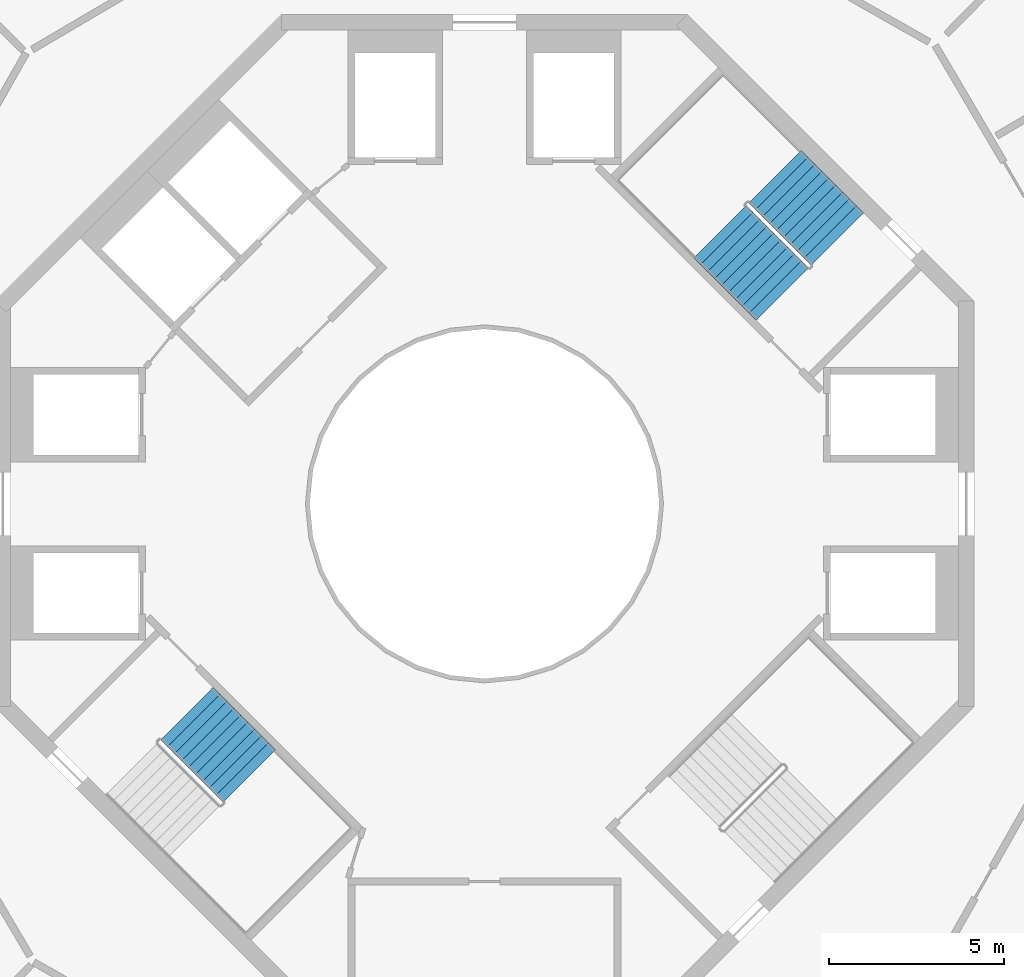
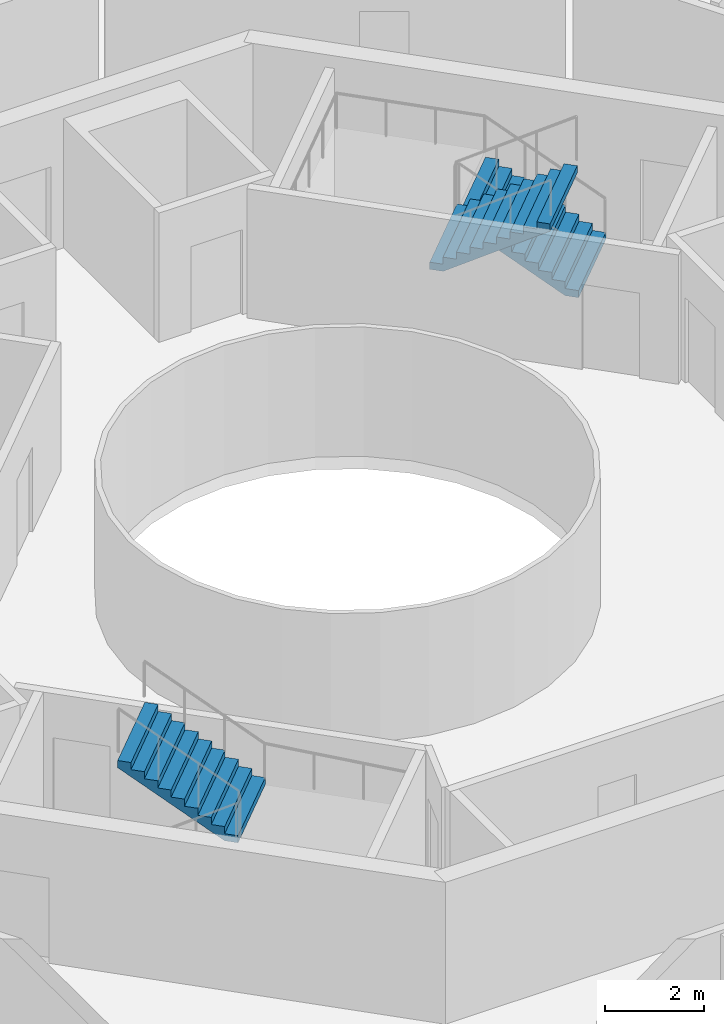
# One storey, part 25 of 26: 3 stair flights, 2 elements without a shape of their own.
"""IFC4 building model written with IfcOpenShell, lengths in metres."""

from ifc_helpers import new_model, si_unit, direction, frame, origin, place, context, subcontext, project, spatial, triangles, material, type_object, element, aggregate, save


model = new_model("IFC4")

# Units and contexts
model_context = context("Model", 3, precision=1e-05, world=origin(), true_north=direction((0.0, 1.0)))
body_context = subcontext(model_context, "Body", "Model", "MODEL_VIEW")
ifc_project = project(units=[si_unit("LENGTHUNIT", "METRE"), si_unit("AREAUNIT", "SQUARE_METRE"), si_unit("VOLUMEUNIT", "CUBIC_METRE"), si_unit("PLANEANGLEUNIT", "RADIAN"), si_unit("MASSUNIT", "GRAM", prefix="KILO")], contexts=[model_context])

# Site, building, storey
site_placement = place(None, origin())
site = spatial("IfcSite", under=ifc_project, at=site_placement, CompositionType="ELEMENT")
building_placement = place(site_placement, origin())
building = spatial("IfcBuilding", under=site, at=building_placement, Name="Verdalira Terraces Hotel", CompositionType="ELEMENT")
storey_placement = place(building_placement, frame((0.0, 0.0, 281.0)))
storey = spatial("IfcBuildingStorey", under=building, at=storey_placement, Name="L69", CompositionType="ELEMENT", Elevation=281.0)

# Stair, stair flights
ifc_material_1 = material(Name="Concrete C40", Category="concrete")
stair_type = type_object("IfcStairType", Name="Core stair 20 risers 2125 mm wide", PredefinedType="HALF_TURN_STAIR", material=ifc_material_1)
stair_1_placement = place(storey_placement, origin())
stair_1 = element("IfcStair", 1, at=stair_1_placement, inside=storey, type_object=stair_type, Name="L69 Exit stair ST1", PredefinedType="HALF_TURN_STAIR")
ifc_material_2 = material(Name="Concrete C40", Category="concrete")
stair_flight_type = type_object("IfcStairFlightType", Name="Core stair flight 20 risers 2125 mm wide", PredefinedType="STRAIGHT", material=ifc_material_2)
stair_flight_1_placement = place(storey_placement, frame((10.085205, 7.574951, 0.0), z_axis=(0.0, 0.0, 1.0), x_axis=(-0.707106781, 0.707106781, 0.0)))
stair_flight_1 = element("IfcStairFlight", 2, at=stair_flight_1_placement, type_object=stair_flight_type, Name="ST1 flight 1", NumberOfRisers=10, NumberOfTreads=9, PredefinedType="STRAIGHT", RiserHeight=0.175, TreadLength=0.28, context=body_context, shape_type="Tessellation", body=[
    triangles([(0.0, 1.0625, 0.0), (0.282715, 1.0625, 0.0), (2.52002, 1.0625, 1.398193), (0.0, -1.0625, 0.0), (0.282715, -1.0625, 0.0), (2.52002, -1.0625, 1.398193), (2.52002, 1.0625, 1.574951), (2.23999, 1.0625, 1.574951), (2.52002, -1.0625, 1.574951), (2.23999, -1.0625, 1.574951), (2.23999, 1.0625, 1.399902), (2.23999, -1.0625, 1.399902), (1.959961, 1.0625, 1.399902), (1.959961, -1.0625, 1.399902), (1.959961, 1.0625, 1.225098), (1.959961, -1.0625, 1.225098), (1.679932, 1.0625, 1.225098), (1.679932, 1.0625, 1.050049), (1.679932, -1.0625, 1.225098), (1.679932, -1.0625, 1.050049), (1.399902, 1.0625, 1.050049), (1.399902, 1.0625, 0.875), (1.399902, -1.0625, 1.050049), (1.399902, -1.0625, 0.875), (1.120117, 1.0625, 0.875), (1.120117, 1.0625, 0.699951), (1.120117, -1.0625, 0.875), (1.120117, -1.0625, 0.699951), (0.840088, 1.0625, 0.699951), (0.840088, 1.0625, 0.524902), (0.840088, -1.0625, 0.699951), (0.840088, -1.0625, 0.524902), (0.560059, 1.0625, 0.524902), (0.560059, 1.0625, 0.350098), (0.560059, -1.0625, 0.524902), (0.560059, -1.0625, 0.350098), (0.280029, 1.0625, 0.350098), (0.280029, 1.0625, 0.175049), (0.280029, -1.0625, 0.350098), (0.280029, -1.0625, 0.175049), (0.0, 1.0625, 0.175049), (0.0, -1.0625, 0.175049), (0.0, -0.996094, 0.0), (0.0, -0.996094, 0.175049), (0.0, -0.929688, 0.0), (0.0, -0.929688, 0.175049), (0.0, -0.863281, 0.0), (0.0, -0.863281, 0.175049), (0.0, -0.796875, 0.0), (0.0, -0.796875, 0.175049), (0.0, -0.730469, 0.0), (0.0, -0.730469, 0.175049), (0.0, -0.664062, 0.0), (0.0, -0.664062, 0.175049), (0.0, -0.597656, 0.0), (0.0, -0.597656, 0.175049), (0.0, -0.53125, 0.0), (0.0, -0.53125, 0.175049), (0.0, -0.464844, 0.0), (0.0, -0.464844, 0.175049), (0.0, -0.398438, 0.0), (0.0, -0.398438, 0.175049), (0.0, -0.332031, 0.0), (0.0, -0.332031, 0.175049), (0.0, -0.265625, 0.0), (0.0, -0.265625, 0.175049), (0.0, -0.199219, 0.0), (0.0, -0.199219, 0.175049), (0.0, -0.132812, 0.0), (0.0, -0.132812, 0.175049), (0.0, -0.066406, 0.0), (0.0, -0.066406, 0.175049), (0.0, 0.0, 0.0), (0.0, 0.0, 0.175049), (0.0, 0.066406, 0.0), (0.0, 0.066406, 0.175049), (0.0, 0.132812, 0.0), (0.0, 0.132812, 0.175049), (0.0, 0.199219, 0.0), (0.0, 0.199219, 0.175049), (0.0, 0.265625, 0.0), (0.0, 0.265625, 0.175049), (0.0, 0.332031, 0.0), (0.0, 0.332031, 0.175049), (0.0, 0.398438, 0.0), (0.0, 0.398438, 0.175049), (0.0, 0.464844, 0.0), (0.0, 0.464844, 0.175049), (0.0, 0.53125, 0.0), (0.0, 0.53125, 0.175049), (0.0, 0.597656, 0.0), (0.0, 0.597656, 0.175049), (0.0, 0.664062, 0.0), (0.0, 0.664062, 0.175049), (0.0, 0.730469, 0.0), (0.0, 0.730469, 0.175049), (0.0, 0.796875, 0.0), (0.0, 0.796875, 0.175049), (0.0, 0.863281, 0.0), (0.0, 0.863281, 0.175049), (0.0, 0.929688, 0.0), (0.0, 0.929688, 0.175049), (0.0, 0.996094, 0.0), (0.0, 0.996094, 0.175049), (2.52002, -0.996094, 1.574951), (2.52002, -0.929688, 1.574951), (2.52002, -0.863281, 1.574951), (2.52002, -0.796875, 1.574951), (2.52002, -0.730469, 1.574951), (2.52002, -0.664062, 1.574951), (2.52002, -0.597656, 1.574951), (2.52002, -0.53125, 1.574951), (2.52002, -0.464844, 1.574951), (2.52002, -0.398438, 1.574951), (2.52002, -0.332031, 1.574951), (2.52002, -0.265625, 1.574951), (2.52002, -0.199219, 1.574951), (2.52002, -0.132812, 1.574951), (2.52002, -0.066406, 1.574951), (2.52002, 0.0, 1.574951), (2.52002, 0.066406, 1.574951), (2.52002, 0.132812, 1.574951), (2.52002, 0.199219, 1.574951), (2.52002, 0.265625, 1.574951), (2.52002, 0.332031, 1.574951), (2.52002, 0.398438, 1.574951), (2.52002, 0.464844, 1.574951), (2.52002, 0.53125, 1.574951), (2.52002, 0.597656, 1.574951), (2.52002, 0.664062, 1.574951), (2.52002, 0.730469, 1.574951), (2.52002, 0.796875, 1.574951), (2.52002, 0.863281, 1.574951), (2.52002, 0.929688, 1.574951), (2.52002, 0.996094, 1.574951), (2.52002, -0.996094, 1.398193), (2.52002, -0.929688, 1.398193), (2.52002, -0.863281, 1.398193), (2.52002, -0.796875, 1.398193), (2.52002, -0.730469, 1.398193), (2.52002, -0.664062, 1.398193), (2.52002, -0.597656, 1.398193), (2.52002, -0.53125, 1.398193), (2.52002, -0.464844, 1.398193), (2.52002, -0.398438, 1.398193), (2.52002, -0.332031, 1.398193), (2.52002, -0.265625, 1.398193), (2.52002, -0.199219, 1.398193), (2.52002, -0.132812, 1.398193), (2.52002, -0.066406, 1.398193), (2.52002, 0.0, 1.398193), (2.52002, 0.066406, 1.398193), (2.52002, 0.132812, 1.398193), (2.52002, 0.199219, 1.398193), (2.52002, 0.265625, 1.398193), (2.52002, 0.332031, 1.398193), (2.52002, 0.398438, 1.398193), (2.52002, 0.464844, 1.398193), (2.52002, 0.53125, 1.398193), (2.52002, 0.597656, 1.398193), (2.52002, 0.664062, 1.398193), (2.52002, 0.730469, 1.398193), (2.52002, 0.796875, 1.398193), (2.52002, 0.863281, 1.398193), (2.52002, 0.929688, 1.398193), (2.52002, 0.996094, 1.398193)], [[1, 3, 2], [4, 5, 6], [3, 8, 7], [6, 9, 10], [3, 11, 8], [6, 10, 12], [3, 13, 11], [6, 12, 14], [3, 15, 13], [6, 14, 16], [15, 18, 17], [16, 19, 20], [3, 18, 15], [6, 16, 20], [18, 22, 21], [20, 23, 24], [3, 22, 18], [6, 20, 24], [22, 26, 25], [24, 27, 28], [3, 26, 22], [6, 24, 28], [26, 30, 29], [28, 31, 32], [3, 30, 26], [6, 28, 32], [1, 30, 3], [4, 6, 32], [30, 34, 33], [32, 35, 36], [34, 38, 37], [36, 39, 40], [30, 38, 34], [32, 36, 40], [1, 38, 30], [4, 32, 40], [38, 1, 41], [40, 42, 4], [4, 44, 43], [4, 42, 44], [43, 46, 45], [43, 44, 46], [45, 48, 47], [45, 46, 48], [47, 50, 49], [47, 48, 50], [49, 52, 51], [49, 50, 52], [51, 54, 53], [51, 52, 54], [53, 56, 55], [53, 54, 56], [55, 58, 57], [55, 56, 58], [57, 60, 59], [57, 58, 60], [59, 62, 61], [59, 60, 62], [61, 64, 63], [61, 62, 64], [63, 66, 65], [63, 64, 66], [65, 68, 67], [65, 66, 68], [67, 70, 69], [67, 68, 70], [69, 72, 71], [69, 70, 72], [71, 74, 73], [71, 72, 74], [73, 76, 75], [73, 74, 76], [75, 78, 77], [75, 76, 78], [77, 80, 79], [77, 78, 80], [79, 82, 81], [79, 80, 82], [81, 84, 83], [81, 82, 84], [83, 86, 85], [83, 84, 86], [85, 88, 87], [85, 86, 88], [87, 90, 89], [87, 88, 90], [89, 92, 91], [89, 90, 92], [91, 94, 93], [91, 92, 94], [93, 96, 95], [93, 94, 96], [95, 98, 97], [95, 96, 98], [97, 100, 99], [97, 98, 100], [99, 102, 101], [99, 100, 102], [101, 104, 103], [101, 102, 104], [103, 41, 1], [103, 104, 41], [42, 40, 44], [44, 40, 46], [46, 40, 48], [48, 40, 50], [50, 40, 52], [52, 40, 54], [54, 40, 56], [56, 40, 58], [58, 40, 60], [60, 40, 62], [62, 40, 64], [64, 40, 66], [66, 40, 68], [68, 40, 70], [70, 40, 72], [72, 40, 74], [74, 40, 76], [76, 40, 78], [78, 40, 80], [80, 40, 82], [82, 40, 84], [84, 40, 86], [86, 40, 88], [88, 40, 90], [90, 40, 92], [92, 40, 94], [94, 40, 96], [96, 40, 98], [98, 40, 100], [100, 40, 102], [102, 40, 104], [104, 40, 41], [41, 40, 38], [40, 37, 38], [40, 39, 37], [39, 34, 37], [39, 36, 34], [36, 33, 34], [36, 35, 33], [35, 30, 33], [35, 32, 30], [32, 29, 30], [32, 31, 29], [31, 26, 29], [31, 28, 26], [28, 25, 26], [28, 27, 25], [27, 22, 25], [27, 24, 22], [24, 21, 22], [24, 23, 21], [23, 18, 21], [23, 20, 18], [20, 17, 18], [20, 19, 17], [19, 15, 17], [19, 16, 15], [16, 13, 15], [16, 14, 13], [14, 11, 13], [14, 12, 11], [12, 8, 11], [12, 10, 8], [9, 105, 10], [105, 106, 10], [106, 107, 10], [107, 108, 10], [108, 109, 10], [109, 110, 10], [110, 111, 10], [111, 112, 10], [112, 113, 10], [113, 114, 10], [114, 115, 10], [115, 116, 10], [116, 117, 10], [117, 118, 10], [118, 119, 10], [119, 120, 10], [120, 121, 10], [121, 122, 10], [122, 123, 10], [123, 124, 10], [124, 125, 10], [125, 126, 10], [126, 127, 10], [127, 128, 10], [128, 129, 10], [129, 130, 10], [130, 131, 10], [131, 132, 10], [132, 133, 10], [133, 134, 10], [134, 135, 10], [135, 7, 10], [7, 8, 10], [9, 136, 105], [9, 6, 136], [105, 137, 106], [105, 136, 137], [106, 138, 107], [106, 137, 138], [107, 139, 108], [107, 138, 139], [108, 140, 109], [108, 139, 140], [109, 141, 110], [109, 140, 141], [110, 142, 111], [110, 141, 142], [111, 143, 112], [111, 142, 143], [112, 144, 113], [112, 143, 144], [113, 145, 114], [113, 144, 145], [114, 146, 115], [114, 145, 146], [115, 147, 116], [115, 146, 147], [116, 148, 117], [116, 147, 148], [117, 149, 118], [117, 148, 149], [118, 150, 119], [118, 149, 150], [119, 151, 120], [119, 150, 151], [120, 152, 121], [120, 151, 152], [121, 153, 122], [121, 152, 153], [122, 154, 123], [122, 153, 154], [123, 155, 124], [123, 154, 155], [124, 156, 125], [124, 155, 156], [125, 157, 126], [125, 156, 157], [126, 158, 127], [126, 157, 158], [127, 159, 128], [127, 158, 159], [128, 160, 129], [128, 159, 160], [129, 161, 130], [129, 160, 161], [130, 162, 131], [130, 161, 162], [131, 163, 132], [131, 162, 163], [132, 164, 133], [132, 163, 164], [133, 165, 134], [133, 164, 165], [134, 166, 135], [134, 165, 166], [135, 3, 7], [135, 166, 3], [6, 5, 136], [136, 5, 137], [137, 5, 138], [138, 5, 139], [139, 5, 140], [140, 5, 141], [141, 5, 142], [142, 5, 143], [143, 5, 144], [144, 5, 145], [145, 5, 146], [146, 5, 147], [147, 5, 148], [148, 5, 149], [149, 5, 150], [150, 5, 151], [151, 5, 152], [152, 5, 153], [153, 5, 154], [154, 5, 155], [155, 5, 156], [156, 5, 157], [157, 5, 158], [158, 5, 159], [159, 5, 160], [160, 5, 161], [161, 5, 162], [162, 5, 163], [163, 5, 164], [164, 5, 165], [165, 5, 166], [166, 5, 3], [3, 5, 2], [4, 43, 5], [43, 45, 5], [45, 47, 5], [47, 49, 5], [49, 51, 5], [51, 53, 5], [53, 55, 5], [55, 57, 5], [57, 59, 5], [59, 61, 5], [61, 63, 5], [63, 65, 5], [65, 67, 5], [67, 69, 5], [69, 71, 5], [71, 73, 5], [73, 75, 5], [75, 77, 5], [77, 79, 5], [79, 81, 5], [81, 83, 5], [83, 85, 5], [85, 87, 5], [87, 89, 5], [89, 91, 5], [91, 93, 5], [93, 95, 5], [95, 97, 5], [97, 99, 5], [99, 101, 5], [101, 103, 5], [103, 1, 5], [1, 2, 5]], closed=True),
])
stair_flight_2_placement = place(storey_placement, frame((6.72998, 7.783447, 1.75), z_axis=(0.0, 0.0, 1.0), x_axis=(0.707106781, -0.707106781, 0.0)))
stair_flight_2 = element("IfcStairFlight", 3, at=stair_flight_2_placement, type_object=stair_flight_type, Name="ST1 flight 2", NumberOfRisers=10, NumberOfTreads=9, PredefinedType="STRAIGHT", RiserHeight=0.175, TreadLength=0.28, context=body_context, shape_type="Tessellation", body=[
    triangles([(0.0, 1.0625, 0.0), (0.282715, 1.0625, 0.0), (2.52002, 1.0625, 1.398193), (0.0, -1.0625, 0.0), (0.282715, -1.0625, 0.0), (2.52002, -1.0625, 1.398193), (2.52002, 1.0625, 1.574951), (2.23999, 1.0625, 1.574951), (2.52002, -1.0625, 1.574951), (2.23999, -1.0625, 1.574951), (2.23999, 1.0625, 1.399902), (2.23999, -1.0625, 1.399902), (1.959961, 1.0625, 1.399902), (1.959961, -1.0625, 1.399902), (1.959961, 1.0625, 1.225098), (1.959961, -1.0625, 1.225098), (1.679932, 1.0625, 1.225098), (1.679932, 1.0625, 1.050049), (1.679932, -1.0625, 1.225098), (1.679932, -1.0625, 1.050049), (1.399902, 1.0625, 1.050049), (1.399902, 1.0625, 0.875), (1.399902, -1.0625, 1.050049), (1.399902, -1.0625, 0.875), (1.120117, 1.0625, 0.875), (1.120117, 1.0625, 0.699951), (1.120117, -1.0625, 0.875), (1.120117, -1.0625, 0.699951), (0.840088, 1.0625, 0.699951), (0.840088, 1.0625, 0.524902), (0.840088, -1.0625, 0.699951), (0.840088, -1.0625, 0.524902), (0.560059, 1.0625, 0.524902), (0.560059, 1.0625, 0.350098), (0.560059, -1.0625, 0.524902), (0.560059, -1.0625, 0.350098), (0.280029, 1.0625, 0.350098), (0.280029, 1.0625, 0.175049), (0.280029, -1.0625, 0.350098), (0.280029, -1.0625, 0.175049), (0.0, 1.0625, 0.175049), (0.0, -1.0625, 0.175049), (0.0, -0.996094, 0.0), (0.0, -0.996094, 0.175049), (0.0, -0.929688, 0.0), (0.0, -0.929688, 0.175049), (0.0, -0.863281, 0.0), (0.0, -0.863281, 0.175049), (0.0, -0.796875, 0.0), (0.0, -0.796875, 0.175049), (0.0, -0.730469, 0.0), (0.0, -0.730469, 0.175049), (0.0, -0.664062, 0.0), (0.0, -0.664062, 0.175049), (0.0, -0.597656, 0.0), (0.0, -0.597656, 0.175049), (0.0, -0.53125, 0.0), (0.0, -0.53125, 0.175049), (0.0, -0.464844, 0.0), (0.0, -0.464844, 0.175049), (0.0, -0.398438, 0.0), (0.0, -0.398438, 0.175049), (0.0, -0.332031, 0.0), (0.0, -0.332031, 0.175049), (0.0, -0.265625, 0.0), (0.0, -0.265625, 0.175049), (0.0, -0.199219, 0.0), (0.0, -0.199219, 0.175049), (0.0, -0.132812, 0.0), (0.0, -0.132812, 0.175049), (0.0, -0.066406, 0.0), (0.0, -0.066406, 0.175049), (0.0, 0.0, 0.0), (0.0, 0.0, 0.175049), (0.0, 0.066406, 0.0), (0.0, 0.066406, 0.175049), (0.0, 0.132812, 0.0), (0.0, 0.132812, 0.175049), (0.0, 0.199219, 0.0), (0.0, 0.199219, 0.175049), (0.0, 0.265625, 0.0), (0.0, 0.265625, 0.175049), (0.0, 0.332031, 0.0), (0.0, 0.332031, 0.175049), (0.0, 0.398438, 0.0), (0.0, 0.398438, 0.175049), (0.0, 0.464844, 0.0), (0.0, 0.464844, 0.175049), (0.0, 0.53125, 0.0), (0.0, 0.53125, 0.175049), (0.0, 0.597656, 0.0), (0.0, 0.597656, 0.175049), (0.0, 0.664062, 0.0), (0.0, 0.664062, 0.175049), (0.0, 0.730469, 0.0), (0.0, 0.730469, 0.175049), (0.0, 0.796875, 0.0), (0.0, 0.796875, 0.175049), (0.0, 0.863281, 0.0), (0.0, 0.863281, 0.175049), (0.0, 0.929688, 0.0), (0.0, 0.929688, 0.175049), (0.0, 0.996094, 0.0), (0.0, 0.996094, 0.175049), (2.52002, -0.996094, 1.574951), (2.52002, -0.929688, 1.574951), (2.52002, -0.863281, 1.574951), (2.52002, -0.796875, 1.574951), (2.52002, -0.730469, 1.574951), (2.52002, -0.664062, 1.574951), (2.52002, -0.597656, 1.574951), (2.52002, -0.53125, 1.574951), (2.52002, -0.464844, 1.574951), (2.52002, -0.398438, 1.574951), (2.52002, -0.332031, 1.574951), (2.52002, -0.265625, 1.574951), (2.52002, -0.199219, 1.574951), (2.52002, -0.132812, 1.574951), (2.52002, -0.066406, 1.574951), (2.52002, 0.0, 1.574951), (2.52002, 0.066406, 1.574951), (2.52002, 0.132812, 1.574951), (2.52002, 0.199219, 1.574951), (2.52002, 0.265625, 1.574951), (2.52002, 0.332031, 1.574951), (2.52002, 0.398438, 1.574951), (2.52002, 0.464844, 1.574951), (2.52002, 0.53125, 1.574951), (2.52002, 0.597656, 1.574951), (2.52002, 0.664062, 1.574951), (2.52002, 0.730469, 1.574951), (2.52002, 0.796875, 1.574951), (2.52002, 0.863281, 1.574951), (2.52002, 0.929688, 1.574951), (2.52002, 0.996094, 1.574951), (2.52002, -0.996094, 1.398193), (2.52002, -0.929688, 1.398193), (2.52002, -0.863281, 1.398193), (2.52002, -0.796875, 1.398193), (2.52002, -0.730469, 1.398193), (2.52002, -0.664062, 1.398193), (2.52002, -0.597656, 1.398193), (2.52002, -0.53125, 1.398193), (2.52002, -0.464844, 1.398193), (2.52002, -0.398438, 1.398193), (2.52002, -0.332031, 1.398193), (2.52002, -0.265625, 1.398193), (2.52002, -0.199219, 1.398193), (2.52002, -0.132812, 1.398193), (2.52002, -0.066406, 1.398193), (2.52002, 0.0, 1.398193), (2.52002, 0.066406, 1.398193), (2.52002, 0.132812, 1.398193), (2.52002, 0.199219, 1.398193), (2.52002, 0.265625, 1.398193), (2.52002, 0.332031, 1.398193), (2.52002, 0.398438, 1.398193), (2.52002, 0.464844, 1.398193), (2.52002, 0.53125, 1.398193), (2.52002, 0.597656, 1.398193), (2.52002, 0.664062, 1.398193), (2.52002, 0.730469, 1.398193), (2.52002, 0.796875, 1.398193), (2.52002, 0.863281, 1.398193), (2.52002, 0.929688, 1.398193), (2.52002, 0.996094, 1.398193)], [[1, 3, 2], [4, 5, 6], [3, 8, 7], [6, 9, 10], [3, 11, 8], [6, 10, 12], [3, 13, 11], [6, 12, 14], [3, 15, 13], [6, 14, 16], [15, 18, 17], [16, 19, 20], [3, 18, 15], [6, 16, 20], [18, 22, 21], [20, 23, 24], [3, 22, 18], [6, 20, 24], [22, 26, 25], [24, 27, 28], [3, 26, 22], [6, 24, 28], [26, 30, 29], [28, 31, 32], [3, 30, 26], [6, 28, 32], [1, 30, 3], [4, 6, 32], [30, 34, 33], [32, 35, 36], [34, 38, 37], [36, 39, 40], [30, 38, 34], [32, 36, 40], [1, 38, 30], [4, 32, 40], [38, 1, 41], [40, 42, 4], [4, 44, 43], [4, 42, 44], [43, 46, 45], [43, 44, 46], [45, 48, 47], [45, 46, 48], [47, 50, 49], [47, 48, 50], [49, 52, 51], [49, 50, 52], [51, 54, 53], [51, 52, 54], [53, 56, 55], [53, 54, 56], [55, 58, 57], [55, 56, 58], [57, 60, 59], [57, 58, 60], [59, 62, 61], [59, 60, 62], [61, 64, 63], [61, 62, 64], [63, 66, 65], [63, 64, 66], [65, 68, 67], [65, 66, 68], [67, 70, 69], [67, 68, 70], [69, 72, 71], [69, 70, 72], [71, 74, 73], [71, 72, 74], [73, 76, 75], [73, 74, 76], [75, 78, 77], [75, 76, 78], [77, 80, 79], [77, 78, 80], [79, 82, 81], [79, 80, 82], [81, 84, 83], [81, 82, 84], [83, 86, 85], [83, 84, 86], [85, 88, 87], [85, 86, 88], [87, 90, 89], [87, 88, 90], [89, 92, 91], [89, 90, 92], [91, 94, 93], [91, 92, 94], [93, 96, 95], [93, 94, 96], [95, 98, 97], [95, 96, 98], [97, 100, 99], [97, 98, 100], [99, 102, 101], [99, 100, 102], [101, 104, 103], [101, 102, 104], [103, 41, 1], [103, 104, 41], [42, 40, 44], [44, 40, 46], [46, 40, 48], [48, 40, 50], [50, 40, 52], [52, 40, 54], [54, 40, 56], [56, 40, 58], [58, 40, 60], [60, 40, 62], [62, 40, 64], [64, 40, 66], [66, 40, 68], [68, 40, 70], [70, 40, 72], [72, 40, 74], [74, 40, 76], [76, 40, 78], [78, 40, 80], [80, 40, 82], [82, 40, 84], [84, 40, 86], [86, 40, 88], [88, 40, 90], [90, 40, 92], [92, 40, 94], [94, 40, 96], [96, 40, 98], [98, 40, 100], [100, 40, 102], [102, 40, 104], [104, 40, 41], [41, 40, 38], [40, 37, 38], [40, 39, 37], [39, 34, 37], [39, 36, 34], [36, 33, 34], [36, 35, 33], [35, 30, 33], [35, 32, 30], [32, 29, 30], [32, 31, 29], [31, 26, 29], [31, 28, 26], [28, 25, 26], [28, 27, 25], [27, 22, 25], [27, 24, 22], [24, 21, 22], [24, 23, 21], [23, 18, 21], [23, 20, 18], [20, 17, 18], [20, 19, 17], [19, 15, 17], [19, 16, 15], [16, 13, 15], [16, 14, 13], [14, 11, 13], [14, 12, 11], [12, 8, 11], [12, 10, 8], [9, 105, 10], [105, 106, 10], [106, 107, 10], [107, 108, 10], [108, 109, 10], [109, 110, 10], [110, 111, 10], [111, 112, 10], [112, 113, 10], [113, 114, 10], [114, 115, 10], [115, 116, 10], [116, 117, 10], [117, 118, 10], [118, 119, 10], [119, 120, 10], [120, 121, 10], [121, 122, 10], [122, 123, 10], [123, 124, 10], [124, 125, 10], [125, 126, 10], [126, 127, 10], [127, 128, 10], [128, 129, 10], [129, 130, 10], [130, 131, 10], [131, 132, 10], [132, 133, 10], [133, 134, 10], [134, 135, 10], [135, 7, 10], [7, 8, 10], [9, 136, 105], [9, 6, 136], [105, 137, 106], [105, 136, 137], [106, 138, 107], [106, 137, 138], [107, 139, 108], [107, 138, 139], [108, 140, 109], [108, 139, 140], [109, 141, 110], [109, 140, 141], [110, 142, 111], [110, 141, 142], [111, 143, 112], [111, 142, 143], [112, 144, 113], [112, 143, 144], [113, 145, 114], [113, 144, 145], [114, 146, 115], [114, 145, 146], [115, 147, 116], [115, 146, 147], [116, 148, 117], [116, 147, 148], [117, 149, 118], [117, 148, 149], [118, 150, 119], [118, 149, 150], [119, 151, 120], [119, 150, 151], [120, 152, 121], [120, 151, 152], [121, 153, 122], [121, 152, 153], [122, 154, 123], [122, 153, 154], [123, 155, 124], [123, 154, 155], [124, 156, 125], [124, 155, 156], [125, 157, 126], [125, 156, 157], [126, 158, 127], [126, 157, 158], [127, 159, 128], [127, 158, 159], [128, 160, 129], [128, 159, 160], [129, 161, 130], [129, 160, 161], [130, 162, 131], [130, 161, 162], [131, 163, 132], [131, 162, 163], [132, 164, 133], [132, 163, 164], [133, 165, 134], [133, 164, 165], [134, 166, 135], [134, 165, 166], [135, 3, 7], [135, 166, 3], [6, 5, 136], [136, 5, 137], [137, 5, 138], [138, 5, 139], [139, 5, 140], [140, 5, 141], [141, 5, 142], [142, 5, 143], [143, 5, 144], [144, 5, 145], [145, 5, 146], [146, 5, 147], [147, 5, 148], [148, 5, 149], [149, 5, 150], [150, 5, 151], [151, 5, 152], [152, 5, 153], [153, 5, 154], [154, 5, 155], [155, 5, 156], [156, 5, 157], [157, 5, 158], [158, 5, 159], [159, 5, 160], [160, 5, 161], [161, 5, 162], [162, 5, 163], [163, 5, 164], [164, 5, 165], [165, 5, 166], [166, 5, 3], [3, 5, 2], [4, 43, 5], [43, 45, 5], [45, 47, 5], [47, 49, 5], [49, 51, 5], [51, 53, 5], [53, 55, 5], [55, 57, 5], [57, 59, 5], [59, 61, 5], [61, 63, 5], [63, 65, 5], [65, 67, 5], [67, 69, 5], [69, 71, 5], [71, 73, 5], [73, 75, 5], [75, 77, 5], [77, 79, 5], [79, 81, 5], [81, 83, 5], [83, 85, 5], [85, 87, 5], [87, 89, 5], [89, 91, 5], [91, 93, 5], [93, 95, 5], [95, 97, 5], [97, 99, 5], [99, 101, 5], [101, 103, 5], [103, 1, 5], [1, 2, 5]], closed=True),
])
aggregate(stair_1, [stair_flight_1, stair_flight_2])

# Stair, stair flight
stair_2_placement = place(storey_placement, origin())
stair_2 = element("IfcStair", 4, at=stair_2_placement, inside=storey, type_object=stair_type, Name="L69 Exit stair ST2", PredefinedType="HALF_TURN_STAIR")
stair_flight_3_placement = place(storey_placement, frame((-6.72998, -7.783447, 1.75), z_axis=(0.0, 0.0, 1.0), x_axis=(-0.707106781, 0.707106781, 0.0)))
stair_flight_3 = element("IfcStairFlight", 5, at=stair_flight_3_placement, type_object=stair_flight_type, Name="ST2 flight 2", NumberOfRisers=10, NumberOfTreads=9, PredefinedType="STRAIGHT", RiserHeight=0.175, TreadLength=0.28, context=body_context, shape_type="Tessellation", body=[
    triangles([(0.0, 1.0625, 0.0), (0.282715, 1.0625, 0.0), (2.52002, 1.0625, 1.398193), (0.0, -1.0625, 0.0), (0.282715, -1.0625, 0.0), (2.52002, -1.0625, 1.398193), (2.52002, 1.0625, 1.574951), (2.23999, 1.0625, 1.574951), (2.52002, -1.0625, 1.574951), (2.23999, -1.0625, 1.574951), (2.23999, 1.0625, 1.399902), (2.23999, -1.0625, 1.399902), (1.959961, 1.0625, 1.399902), (1.959961, -1.0625, 1.399902), (1.959961, 1.0625, 1.225098), (1.959961, -1.0625, 1.225098), (1.679932, 1.0625, 1.225098), (1.679932, 1.0625, 1.050049), (1.679932, -1.0625, 1.225098), (1.679932, -1.0625, 1.050049), (1.399902, 1.0625, 1.050049), (1.399902, 1.0625, 0.875), (1.399902, -1.0625, 1.050049), (1.399902, -1.0625, 0.875), (1.120117, 1.0625, 0.875), (1.120117, 1.0625, 0.699951), (1.120117, -1.0625, 0.875), (1.120117, -1.0625, 0.699951), (0.840088, 1.0625, 0.699951), (0.840088, 1.0625, 0.524902), (0.840088, -1.0625, 0.699951), (0.840088, -1.0625, 0.524902), (0.560059, 1.0625, 0.524902), (0.560059, 1.0625, 0.350098), (0.560059, -1.0625, 0.524902), (0.560059, -1.0625, 0.350098), (0.280029, 1.0625, 0.350098), (0.280029, 1.0625, 0.175049), (0.280029, -1.0625, 0.350098), (0.280029, -1.0625, 0.175049), (0.0, 1.0625, 0.175049), (0.0, -1.0625, 0.175049), (0.0, -0.996094, 0.0), (0.0, -0.996094, 0.175049), (0.0, -0.929688, 0.0), (0.0, -0.929688, 0.175049), (0.0, -0.863281, 0.0), (0.0, -0.863281, 0.175049), (0.0, -0.796875, 0.0), (0.0, -0.796875, 0.175049), (0.0, -0.730469, 0.0), (0.0, -0.730469, 0.175049), (0.0, -0.664062, 0.0), (0.0, -0.664062, 0.175049), (0.0, -0.597656, 0.0), (0.0, -0.597656, 0.175049), (0.0, -0.53125, 0.0), (0.0, -0.53125, 0.175049), (0.0, -0.464844, 0.0), (0.0, -0.464844, 0.175049), (0.0, -0.398438, 0.0), (0.0, -0.398438, 0.175049), (0.0, -0.332031, 0.0), (0.0, -0.332031, 0.175049), (0.0, -0.265625, 0.0), (0.0, -0.265625, 0.175049), (0.0, -0.199219, 0.0), (0.0, -0.199219, 0.175049), (0.0, -0.132812, 0.0), (0.0, -0.132812, 0.175049), (0.0, -0.066406, 0.0), (0.0, -0.066406, 0.175049), (0.0, 0.0, 0.0), (0.0, 0.0, 0.175049), (0.0, 0.066406, 0.0), (0.0, 0.066406, 0.175049), (0.0, 0.132812, 0.0), (0.0, 0.132812, 0.175049), (0.0, 0.199219, 0.0), (0.0, 0.199219, 0.175049), (0.0, 0.265625, 0.0), (0.0, 0.265625, 0.175049), (0.0, 0.332031, 0.0), (0.0, 0.332031, 0.175049), (0.0, 0.398438, 0.0), (0.0, 0.398438, 0.175049), (0.0, 0.464844, 0.0), (0.0, 0.464844, 0.175049), (0.0, 0.53125, 0.0), (0.0, 0.53125, 0.175049), (0.0, 0.597656, 0.0), (0.0, 0.597656, 0.175049), (0.0, 0.664062, 0.0), (0.0, 0.664062, 0.175049), (0.0, 0.730469, 0.0), (0.0, 0.730469, 0.175049), (0.0, 0.796875, 0.0), (0.0, 0.796875, 0.175049), (0.0, 0.863281, 0.0), (0.0, 0.863281, 0.175049), (0.0, 0.929688, 0.0), (0.0, 0.929688, 0.175049), (0.0, 0.996094, 0.0), (0.0, 0.996094, 0.175049), (2.52002, -0.996094, 1.574951), (2.52002, -0.929688, 1.574951), (2.52002, -0.863281, 1.574951), (2.52002, -0.796875, 1.574951), (2.52002, -0.730469, 1.574951), (2.52002, -0.664062, 1.574951), (2.52002, -0.597656, 1.574951), (2.52002, -0.53125, 1.574951), (2.52002, -0.464844, 1.574951), (2.52002, -0.398438, 1.574951), (2.52002, -0.332031, 1.574951), (2.52002, -0.265625, 1.574951), (2.52002, -0.199219, 1.574951), (2.52002, -0.132812, 1.574951), (2.52002, -0.066406, 1.574951), (2.52002, 0.0, 1.574951), (2.52002, 0.066406, 1.574951), (2.52002, 0.132812, 1.574951), (2.52002, 0.199219, 1.574951), (2.52002, 0.265625, 1.574951), (2.52002, 0.332031, 1.574951), (2.52002, 0.398438, 1.574951), (2.52002, 0.464844, 1.574951), (2.52002, 0.53125, 1.574951), (2.52002, 0.597656, 1.574951), (2.52002, 0.664062, 1.574951), (2.52002, 0.730469, 1.574951), (2.52002, 0.796875, 1.574951), (2.52002, 0.863281, 1.574951), (2.52002, 0.929688, 1.574951), (2.52002, 0.996094, 1.574951), (2.52002, -0.996094, 1.398193), (2.52002, -0.929688, 1.398193), (2.52002, -0.863281, 1.398193), (2.52002, -0.796875, 1.398193), (2.52002, -0.730469, 1.398193), (2.52002, -0.664062, 1.398193), (2.52002, -0.597656, 1.398193), (2.52002, -0.53125, 1.398193), (2.52002, -0.464844, 1.398193), (2.52002, -0.398438, 1.398193), (2.52002, -0.332031, 1.398193), (2.52002, -0.265625, 1.398193), (2.52002, -0.199219, 1.398193), (2.52002, -0.132812, 1.398193), (2.52002, -0.066406, 1.398193), (2.52002, 0.0, 1.398193), (2.52002, 0.066406, 1.398193), (2.52002, 0.132812, 1.398193), (2.52002, 0.199219, 1.398193), (2.52002, 0.265625, 1.398193), (2.52002, 0.332031, 1.398193), (2.52002, 0.398438, 1.398193), (2.52002, 0.464844, 1.398193), (2.52002, 0.53125, 1.398193), (2.52002, 0.597656, 1.398193), (2.52002, 0.664062, 1.398193), (2.52002, 0.730469, 1.398193), (2.52002, 0.796875, 1.398193), (2.52002, 0.863281, 1.398193), (2.52002, 0.929688, 1.398193), (2.52002, 0.996094, 1.398193)], [[1, 3, 2], [4, 5, 6], [3, 8, 7], [6, 9, 10], [3, 11, 8], [6, 10, 12], [3, 13, 11], [6, 12, 14], [3, 15, 13], [6, 14, 16], [15, 18, 17], [16, 19, 20], [3, 18, 15], [6, 16, 20], [18, 22, 21], [20, 23, 24], [3, 22, 18], [6, 20, 24], [22, 26, 25], [24, 27, 28], [3, 26, 22], [6, 24, 28], [26, 30, 29], [28, 31, 32], [3, 30, 26], [6, 28, 32], [1, 30, 3], [4, 6, 32], [30, 34, 33], [32, 35, 36], [34, 38, 37], [36, 39, 40], [30, 38, 34], [32, 36, 40], [1, 38, 30], [4, 32, 40], [38, 1, 41], [40, 42, 4], [4, 44, 43], [4, 42, 44], [43, 46, 45], [43, 44, 46], [45, 48, 47], [45, 46, 48], [47, 50, 49], [47, 48, 50], [49, 52, 51], [49, 50, 52], [51, 54, 53], [51, 52, 54], [53, 56, 55], [53, 54, 56], [55, 58, 57], [55, 56, 58], [57, 60, 59], [57, 58, 60], [59, 62, 61], [59, 60, 62], [61, 64, 63], [61, 62, 64], [63, 66, 65], [63, 64, 66], [65, 68, 67], [65, 66, 68], [67, 70, 69], [67, 68, 70], [69, 72, 71], [69, 70, 72], [71, 74, 73], [71, 72, 74], [73, 76, 75], [73, 74, 76], [75, 78, 77], [75, 76, 78], [77, 80, 79], [77, 78, 80], [79, 82, 81], [79, 80, 82], [81, 84, 83], [81, 82, 84], [83, 86, 85], [83, 84, 86], [85, 88, 87], [85, 86, 88], [87, 90, 89], [87, 88, 90], [89, 92, 91], [89, 90, 92], [91, 94, 93], [91, 92, 94], [93, 96, 95], [93, 94, 96], [95, 98, 97], [95, 96, 98], [97, 100, 99], [97, 98, 100], [99, 102, 101], [99, 100, 102], [101, 104, 103], [101, 102, 104], [103, 41, 1], [103, 104, 41], [42, 40, 44], [44, 40, 46], [46, 40, 48], [48, 40, 50], [50, 40, 52], [52, 40, 54], [54, 40, 56], [56, 40, 58], [58, 40, 60], [60, 40, 62], [62, 40, 64], [64, 40, 66], [66, 40, 68], [68, 40, 70], [70, 40, 72], [72, 40, 74], [74, 40, 76], [76, 40, 78], [78, 40, 80], [80, 40, 82], [82, 40, 84], [84, 40, 86], [86, 40, 88], [88, 40, 90], [90, 40, 92], [92, 40, 94], [94, 40, 96], [96, 40, 98], [98, 40, 100], [100, 40, 102], [102, 40, 104], [104, 40, 41], [41, 40, 38], [40, 37, 38], [40, 39, 37], [39, 34, 37], [39, 36, 34], [36, 33, 34], [36, 35, 33], [35, 30, 33], [35, 32, 30], [32, 29, 30], [32, 31, 29], [31, 26, 29], [31, 28, 26], [28, 25, 26], [28, 27, 25], [27, 22, 25], [27, 24, 22], [24, 21, 22], [24, 23, 21], [23, 18, 21], [23, 20, 18], [20, 17, 18], [20, 19, 17], [19, 15, 17], [19, 16, 15], [16, 13, 15], [16, 14, 13], [14, 11, 13], [14, 12, 11], [12, 8, 11], [12, 10, 8], [9, 105, 10], [105, 106, 10], [106, 107, 10], [107, 108, 10], [108, 109, 10], [109, 110, 10], [110, 111, 10], [111, 112, 10], [112, 113, 10], [113, 114, 10], [114, 115, 10], [115, 116, 10], [116, 117, 10], [117, 118, 10], [118, 119, 10], [119, 120, 10], [120, 121, 10], [121, 122, 10], [122, 123, 10], [123, 124, 10], [124, 125, 10], [125, 126, 10], [126, 127, 10], [127, 128, 10], [128, 129, 10], [129, 130, 10], [130, 131, 10], [131, 132, 10], [132, 133, 10], [133, 134, 10], [134, 135, 10], [135, 7, 10], [7, 8, 10], [9, 136, 105], [9, 6, 136], [105, 137, 106], [105, 136, 137], [106, 138, 107], [106, 137, 138], [107, 139, 108], [107, 138, 139], [108, 140, 109], [108, 139, 140], [109, 141, 110], [109, 140, 141], [110, 142, 111], [110, 141, 142], [111, 143, 112], [111, 142, 143], [112, 144, 113], [112, 143, 144], [113, 145, 114], [113, 144, 145], [114, 146, 115], [114, 145, 146], [115, 147, 116], [115, 146, 147], [116, 148, 117], [116, 147, 148], [117, 149, 118], [117, 148, 149], [118, 150, 119], [118, 149, 150], [119, 151, 120], [119, 150, 151], [120, 152, 121], [120, 151, 152], [121, 153, 122], [121, 152, 153], [122, 154, 123], [122, 153, 154], [123, 155, 124], [123, 154, 155], [124, 156, 125], [124, 155, 156], [125, 157, 126], [125, 156, 157], [126, 158, 127], [126, 157, 158], [127, 159, 128], [127, 158, 159], [128, 160, 129], [128, 159, 160], [129, 161, 130], [129, 160, 161], [130, 162, 131], [130, 161, 162], [131, 163, 132], [131, 162, 163], [132, 164, 133], [132, 163, 164], [133, 165, 134], [133, 164, 165], [134, 166, 135], [134, 165, 166], [135, 3, 7], [135, 166, 3], [6, 5, 136], [136, 5, 137], [137, 5, 138], [138, 5, 139], [139, 5, 140], [140, 5, 141], [141, 5, 142], [142, 5, 143], [143, 5, 144], [144, 5, 145], [145, 5, 146], [146, 5, 147], [147, 5, 148], [148, 5, 149], [149, 5, 150], [150, 5, 151], [151, 5, 152], [152, 5, 153], [153, 5, 154], [154, 5, 155], [155, 5, 156], [156, 5, 157], [157, 5, 158], [158, 5, 159], [159, 5, 160], [160, 5, 161], [161, 5, 162], [162, 5, 163], [163, 5, 164], [164, 5, 165], [165, 5, 166], [166, 5, 3], [3, 5, 2], [4, 43, 5], [43, 45, 5], [45, 47, 5], [47, 49, 5], [49, 51, 5], [51, 53, 5], [53, 55, 5], [55, 57, 5], [57, 59, 5], [59, 61, 5], [61, 63, 5], [63, 65, 5], [65, 67, 5], [67, 69, 5], [69, 71, 5], [71, 73, 5], [73, 75, 5], [75, 77, 5], [77, 79, 5], [79, 81, 5], [81, 83, 5], [83, 85, 5], [85, 87, 5], [87, 89, 5], [89, 91, 5], [91, 93, 5], [93, 95, 5], [95, 97, 5], [97, 99, 5], [99, 101, 5], [101, 103, 5], [103, 1, 5], [1, 2, 5]], closed=True),
])
aggregate(stair_2, [stair_flight_3])

save(model, "model.ifc")
